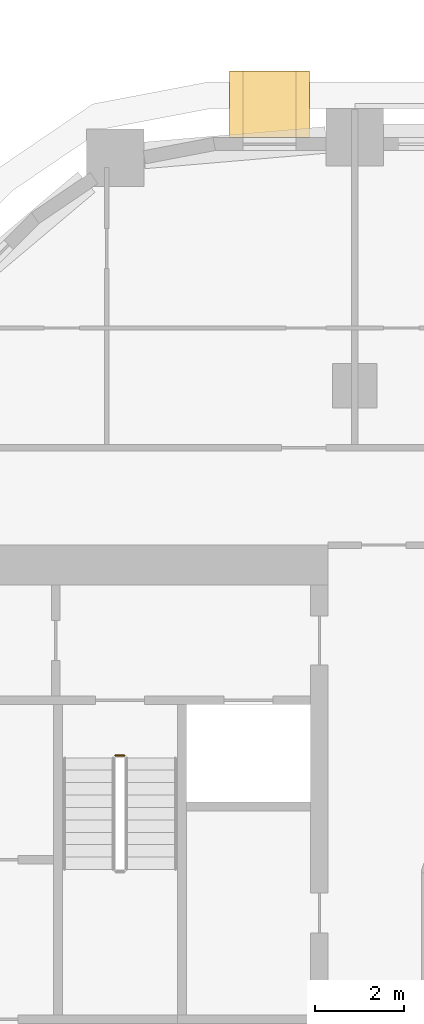
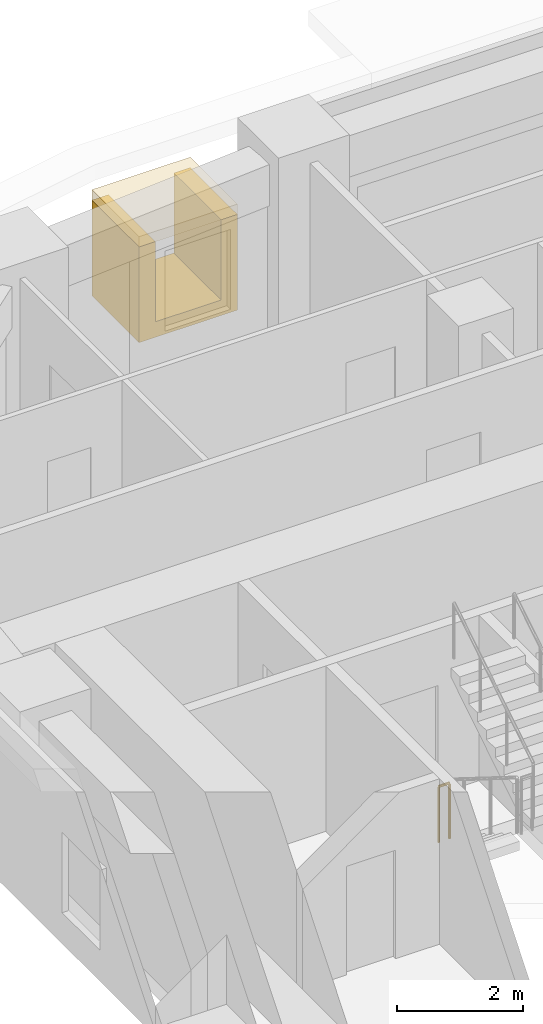
# One storey, part 20 of 22: 2 coverings, 1 railing.
"""IFC4 building model written with IfcOpenShell, lengths in metres."""

from ifc_helpers import new_model, si_unit, direction, frame, origin, origin_2d, place, context, subcontext, project, spatial, polyline, rectangle, circle, outline, extrude, material, layer, layer_set, type_object, element, save


model = new_model("IFC4")

# Units and contexts
model_context = context("Model", 3, precision=1e-05, world=origin(), true_north=direction((0.0, 1.0)))
body_context = subcontext(model_context, "Body", "Model", "MODEL_VIEW")
ifc_project = project(units=[si_unit("LENGTHUNIT", "METRE"), si_unit("AREAUNIT", "SQUARE_METRE"), si_unit("VOLUMEUNIT", "CUBIC_METRE"), si_unit("PLANEANGLEUNIT", "RADIAN"), si_unit("MASSUNIT", "GRAM", prefix="KILO")], contexts=[model_context])

# Site, building, storey
site_placement = place(None, origin())
site = spatial("IfcSite", under=ifc_project, at=site_placement, CompositionType="ELEMENT")
building_placement = place(site_placement, origin())
building = spatial("IfcBuilding", under=site, at=building_placement, Name="Kiln Ring Residences", CompositionType="ELEMENT")
storey_placement = place(building_placement, frame((0.0, 0.0, 97.300048828125)))
storey = spatial("IfcBuildingStorey", under=building, at=storey_placement, Name="L24", CompositionType="ELEMENT", Elevation=97.300048828125)

# Railing
ifc_material_1 = material(Name="Stainless steel", Category="steel")
railing_type = type_object("IfcRailingType", Name="CORE-STAIR-GUARD", PredefinedType="GUARDRAIL", material=ifc_material_1)
railing_placement = place(storey_placement, frame((-22.199951171875, 8.449951171875, 0.0)))
element("IfcRailing", 1, at=railing_placement, inside=storey, type_object=railing_type, Name="L24 W-STN stair guard 4", PredefinedType="GUARDRAIL", context=body_context, shape_type="SweptSolid", body=[
    extrude(circle(Radius=0.02392578125, at=origin_2d()), frame((0.0, 0.0, 1.076171875), z_axis=(1.0, 0.0, 0.0), x_axis=(0.0, 1.0, 0.0)), (0.0, 0.0, 1.0), 0.199951171875),
    extrude(circle(Radius=0.02099609375, at=origin_2d()), origin(), (0.0, 0.0, 1.0), 1.052001953125),
    extrude(circle(Radius=0.02099609375, at=origin_2d()), frame((0.199951171875, 0.0, 0.0)), (0.0, 0.0, 1.0), 1.052001953125),
])

# Coverings
ifc_material_2 = material(Name="Brick masonry, dark clay brick", Category="masonry")
ifc_layer_1 = layer(ifc_material_2, 0.300048828125)
ifc_layer_set_1 = layer_set([ifc_layer_1], Name="FRAME CHEEKS AND SILL 1500")
covering_type_1 = type_object("IfcCoveringType", Name="FRAME CHEEKS AND SILL 1500", PredefinedType="CLADDING", material=ifc_layer_set_1)
covering_1_placement = place(storey_placement, frame((-17.824951171875, 23.14990234375, 0.300048828125), z_axis=(0.0, 0.0, 1.0), x_axis=(-1.0, 0.0, 0.0)))
element("IfcCovering", 2, at=covering_1_placement, inside=storey, type_object=covering_type_1, Name="FRAME L24", PredefinedType="CLADDING", context=body_context, shape_type="SweptSolid", body=[
    extrude(outline(polyline([(0.0, 0.0), (1.800048828125, 0.0), (1.800048828125, 1.849853515625), (1.5009765625, 1.849853515625), (1.5, 0.2998046875), (0.300048828125, 0.2998046875), (0.299072265625, 1.849853515625), (0.0, 1.849853515625), (0.0, 0.0)])), frame((0.0, 0.75, 0.0), z_axis=(0.0, -1.0, 0.0), x_axis=(1.0, 0.0, 0.0)), (0.0, 0.0, 1.0), 1.5),
])
ifc_material_3 = material(Name="Brick masonry, dark clay brick", Category="masonry")
ifc_layer_2 = layer(ifc_material_3, 0.199951171875)
ifc_layer_set_2 = layer_set([ifc_layer_2], Name="FRAME HEAD 1500")
covering_type_2 = type_object("IfcCoveringType", Name="FRAME HEAD 1500", PredefinedType="CLADDING", material=ifc_layer_set_2)
covering_2_placement = place(storey_placement, frame((-18.72509765625, 23.14990234375, 2.14990234375), z_axis=(0.0, 0.0, 1.0), x_axis=(-1.0, 0.0, 0.0)))
element("IfcCovering", 3, at=covering_2_placement, inside=storey, type_object=covering_type_2, Name="FRAME HEAD L24", PredefinedType="CLADDING", context=body_context, shape_type="SweptSolid", body=[
    extrude(rectangle(XDim=1.800048828125, YDim=1.5, at=origin_2d()), origin(), (0.0, 0.0, 1.0), 0.199951171875),
])

save(model, "model.ifc")
